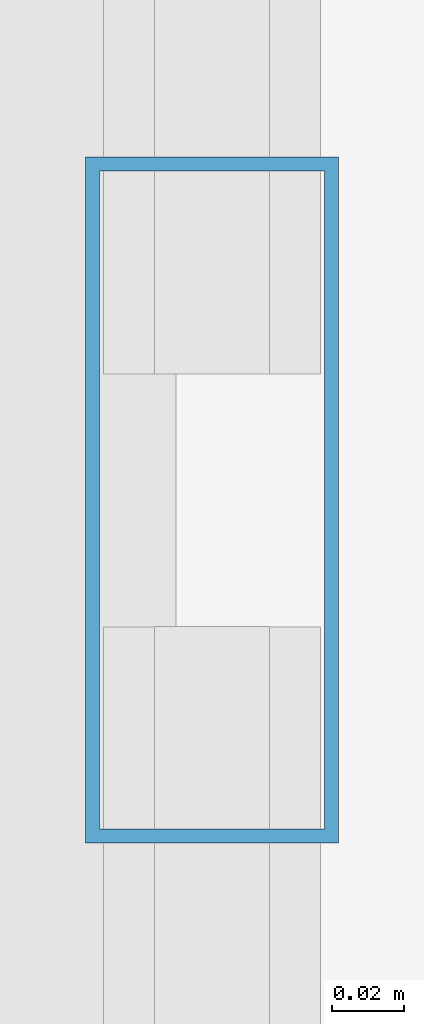
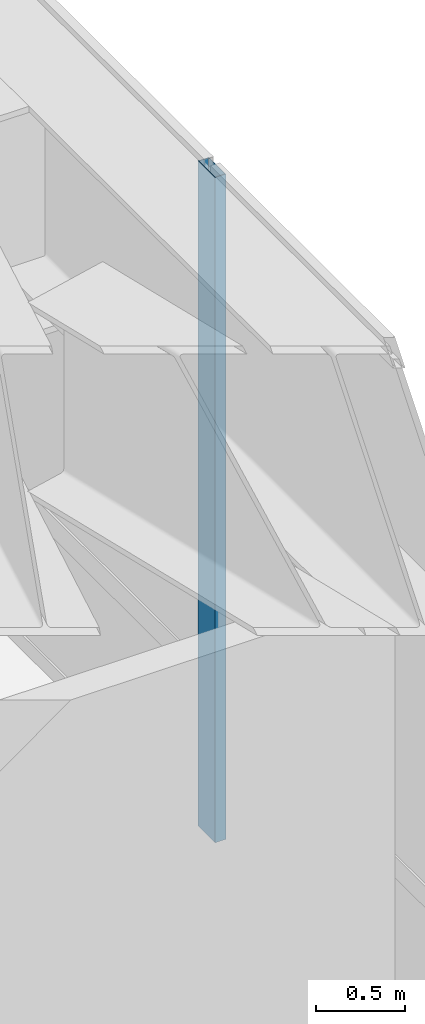
# One storey, part 18 of 32: 1 member, 1 element without a shape of its own.
"""IFC4 building model written with IfcOpenShell, lengths in metres."""

from ifc_helpers import new_model, si_unit, direction, frame, origin, origin_2d, place, context, subcontext, project, spatial, hollow_rectangle, extrude, source, transform, mapped, material, layer, layer_set, material_profile, profile_set, type_object, type_shapes, element, aggregate, save


model = new_model("IFC4")

# Units and contexts
model_context = context("Model", 3, precision=1e-05, world=origin(), true_north=direction((0.0, 1.0)))
body_context = subcontext(model_context, "Body", "Model", "MODEL_VIEW")
ifc_project = project(units=[si_unit("LENGTHUNIT", "METRE"), si_unit("AREAUNIT", "SQUARE_METRE"), si_unit("VOLUMEUNIT", "CUBIC_METRE"), si_unit("PLANEANGLEUNIT", "RADIAN"), si_unit("MASSUNIT", "GRAM", prefix="KILO")], contexts=[model_context])

# Site, building, storey
site_placement = place(None, origin())
site = spatial("IfcSite", under=ifc_project, at=site_placement, CompositionType="ELEMENT")
building_placement = place(site_placement, origin())
building = spatial("IfcBuilding", under=site, at=building_placement, Name="Varnel Quay Broadcast Tower", CompositionType="ELEMENT")
storey_placement = place(building_placement, frame((0.0, 0.0, 141.0)))
storey = spatial("IfcBuildingStorey", under=building, at=storey_placement, Name="L34", CompositionType="ELEMENT", Elevation=141.0)

# Curtain wall, member
ifc_material = material(Name="Anodised Bronze Aluminium 6063-T6", Category="aluminium")
ifc_layer = layer(ifc_material, 0.18994140625, Name="Anodised Bronze Aluminium 6063-T6")
ifc_layer_set = layer_set([ifc_layer], Name="Anodised Bronze Aluminium 6063-T6")
curtain_wall_type = type_object("IfcCurtainWallType", Name="CW_LowerTower", PredefinedType="NOTDEFINED", material=ifc_layer_set)
curtain_wall_placement = place(storey_placement, origin())
curtain_wall = element("IfcCurtainWall", 1, at=curtain_wall_placement, inside=storey, type_object=curtain_wall_type, Name="L34 East Unitised Curtain Wall", PredefinedType="NOTDEFINED")
ifc_material_profile = material_profile(ifc_material, hollow_rectangle(XDim=0.070068359375, YDim=0.18994140625, WallThickness=0.00390625, at=origin_2d()), Name="ALU70X190X4")
ifc_profile_set = profile_set([ifc_material_profile], Name="Anodised Bronze Aluminium 6063-T6")
member_type = type_object("IfcMemberType", Name="Mull_CWS-02", PredefinedType="MULLION", material=ifc_profile_set)
shared_shape = source(origin(), body_context, "Body", "SweptSolid", [
    extrude(hollow_rectangle(XDim=0.070068359375, YDim=0.18994140625, WallThickness=0.00390625, at=origin_2d()), origin(), (0.0, 0.0, 1.0), 4.550048828125),
])
type_shapes(member_type, [shared_shape])
member_placement = place(storey_placement, frame((63.35009765625, 19.60009765625, 0.0), z_axis=(0.0, 0.0, 1.0), x_axis=(-1.0, 0.0, 0.0)))
member = element("IfcMember", 2, at=member_placement, type_object=member_type, Name="CWS-02 mullion 2", PredefinedType="MULLION", context=body_context, shape_type="MappedRepresentation", body=[
    mapped(shared_shape, transform((0.0, 0.0, 0.0), x_axis=(1.0, 0.0, 0.0), y_axis=(0.0, 1.0, 0.0), z_axis=(0.0, 0.0, 1.0), scale=1.0)),
])
aggregate(curtain_wall, [member])

save(model, "model.ifc")
